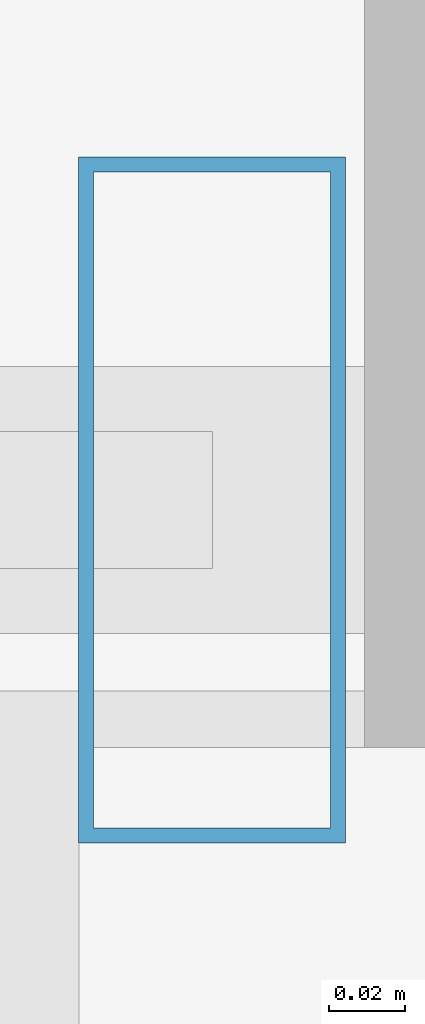
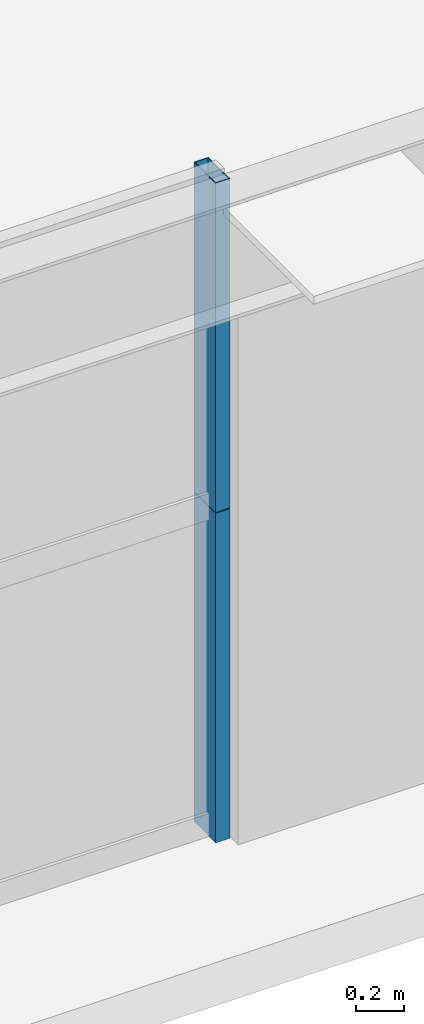
# One storey, part 16 of 43: 2 members, 1 element without a shape of its own.
"""IFC4 building model written with IfcOpenShell, lengths in metres."""

from ifc_helpers import new_model, si_unit, direction, frame, origin, origin_2d, place, context, subcontext, project, spatial, hollow_rectangle, extrude, source, transform, mapped, material, layer, layer_set, material_profile, profile_set, type_object, element, aggregate, save


model = new_model("IFC4")

# Units and contexts
model_context = context("Model", 3, precision=1e-05, world=origin(), true_north=direction((0.0, 1.0)))
body_context = subcontext(model_context, "Body", "Model", "MODEL_VIEW")
ifc_project = project(units=[si_unit("LENGTHUNIT", "METRE"), si_unit("AREAUNIT", "SQUARE_METRE"), si_unit("VOLUMEUNIT", "CUBIC_METRE"), si_unit("PLANEANGLEUNIT", "RADIAN"), si_unit("MASSUNIT", "GRAM", prefix="KILO"), si_unit("THERMODYNAMICTEMPERATUREUNIT", "KELVIN"), si_unit("POWERUNIT", "WATT")], contexts=[model_context])

# Site, building, storey
site_placement = place(None, origin())
site = spatial("IfcSite", under=ifc_project, at=site_placement, CompositionType="ELEMENT")
building_placement = place(site_placement, origin())
building = spatial("IfcBuilding", under=site, at=building_placement, Name="Yuzanri Waterfront Tower", CompositionType="ELEMENT")
storey_placement = place(building_placement, frame((0.0, 0.0, 71.199951171875)))
storey = spatial("IfcBuildingStorey", under=building, at=storey_placement, Name="L18", CompositionType="ELEMENT", Elevation=71.199951171875)

# Curtain wall, members
ifc_material_1 = material(Name="Anodized Architectural Bronze", Category="metal")
ifc_layer = layer(ifc_material_1, 0.159912109375)
ifc_layer_set = layer_set([ifc_layer], Name="Anodized Architectural Bronze")
curtain_wall_type = type_object("IfcCurtainWallType", Name="Anodized Bronze Hotel Lower-Tier Recessed Unitized Curtain Wall 8100", PredefinedType="NOTDEFINED", material=ifc_layer_set)
curtain_wall_placement = place(storey_placement, origin())
curtain_wall = element("IfcCurtainWall", 1, at=curtain_wall_placement, inside=storey, type_object=curtain_wall_type, Name="L18 Curtain Wall CW-L18-SR", PredefinedType="NOTDEFINED")
ifc_material_2 = material(Name="Anodized Architectural Bronze", Category="metal")
ifc_material_profile = material_profile(ifc_material_2, hollow_rectangle(XDim=0.070068359375, YDim=0.179931640625, WallThickness=0.00390625, at=origin_2d()), Name="CWM 70x180")
ifc_profile_set = profile_set([ifc_material_profile], Name="Anodized Architectural Bronze")
member_type = type_object("IfcMemberType", Name="Anodized Bronze Standard Curtain-Wall Mullion 70x180", PredefinedType="MULLION", material=ifc_profile_set)
shared_shape = source(origin(), body_context, "Body", "SweptSolid", [
    extrude(hollow_rectangle(XDim=0.070068359375, YDim=0.179931640625, WallThickness=0.00390625, at=origin_2d()), origin(), (0.0, 0.0, 1.0), 1.68798828125),
])
member_1_placement = place(storey_placement, frame((54.7099609375, 0.85009765625, 0.0), z_axis=(0.0, 0.0, 1.0), x_axis=(1.0, 0.0, 0.0)))
member_1 = element("IfcMember", 2, at=member_1_placement, type_object=member_type, Name="CW-L18-SR Lower Mullion 02", PredefinedType="MULLION", context=body_context, shape_type="MappedRepresentation", body=[
    mapped(shared_shape, transform((0.0, 0.0, 0.0), scale=1.0)),
])
member_2_placement = place(storey_placement, frame((54.7099609375, 0.85009765625, 1.692138671875), z_axis=(0.0, 0.0, 1.0), x_axis=(1.0, 0.0, 0.0)))
member_2 = element("IfcMember", 3, at=member_2_placement, type_object=member_type, Name="CW-L18-SR Upper Mullion 02", PredefinedType="MULLION", context=body_context, shape_type="MappedRepresentation", body=[
    mapped(shared_shape, transform((0.0, 0.0, 0.0), scale=1.0)),
])
aggregate(curtain_wall, [member_1, member_2])

save(model, "model.ifc")
